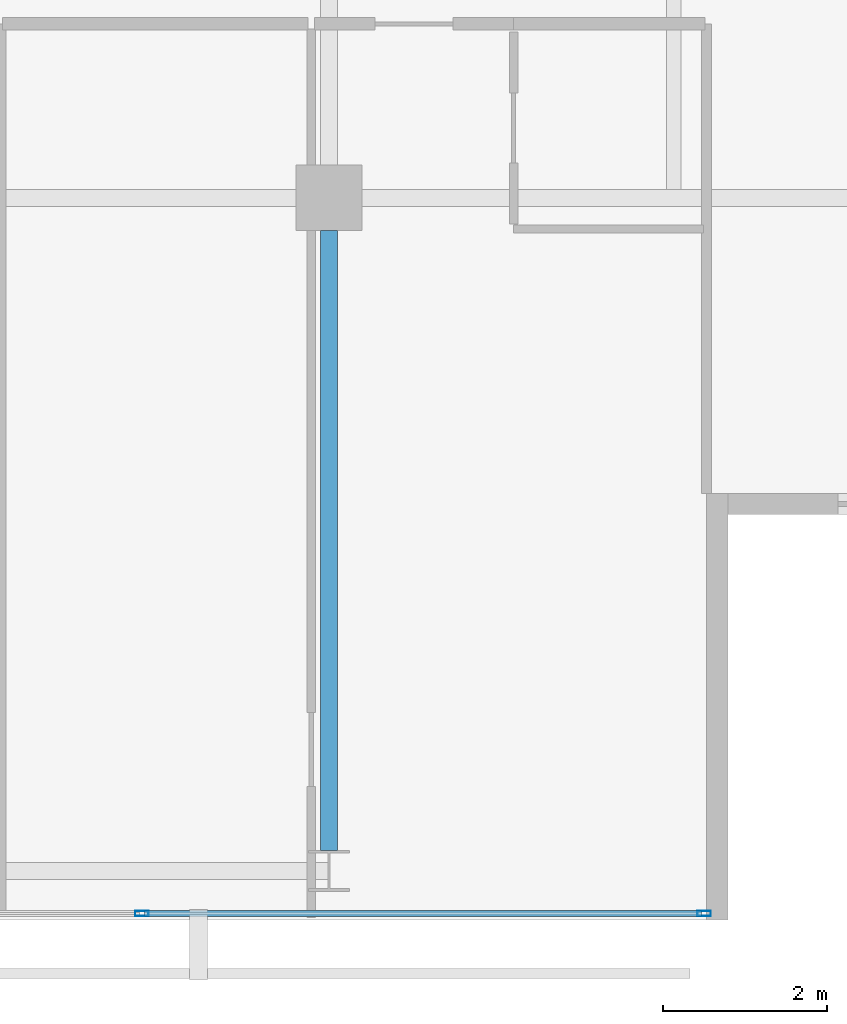
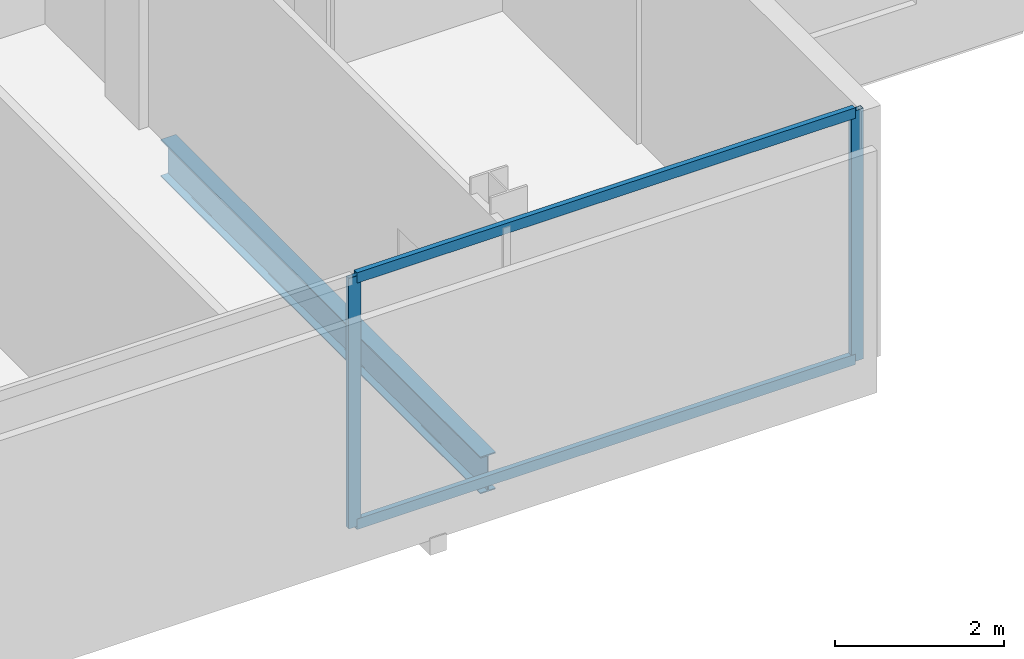
# One storey, part 10 of 26: 4 members, 1 beam, 1 element without a shape of its own.
"""IFC4 building model written with IfcOpenShell, lengths in metres."""

from ifc_helpers import new_model, si_unit, direction, frame, origin, origin_2d, place, context, subcontext, project, spatial, hollow_rectangle, i_section, extrude, material, layer, layer_set, material_profile, profile_set, type_object, element, aggregate, save


model = new_model("IFC4")

# Units and contexts
model_context = context("Model", 3, precision=1e-05, world=origin(), true_north=direction((0.0, 1.0)))
body_context = subcontext(model_context, "Body", "Model", "MODEL_VIEW")
ifc_project = project(units=[si_unit("LENGTHUNIT", "METRE"), si_unit("AREAUNIT", "SQUARE_METRE"), si_unit("VOLUMEUNIT", "CUBIC_METRE"), si_unit("PLANEANGLEUNIT", "RADIAN"), si_unit("MASSUNIT", "GRAM", prefix="KILO")], contexts=[model_context])

# Site, building, storey
site_placement = place(None, origin())
site = spatial("IfcSite", under=ifc_project, at=site_placement, CompositionType="ELEMENT")
building_placement = place(site_placement, origin())
building = spatial("IfcBuilding", under=site, at=building_placement, Name="Maruvema Waterfront Hotel and Observation Tower", CompositionType="ELEMENT")
storey_placement = place(building_placement, frame((0.0, 0.0, 258.64990234375)))
storey = spatial("IfcBuildingStorey", under=building, at=storey_placement, Name="L63", CompositionType="ELEMENT", Elevation=258.64990234375)

# Curtain wall, members
ifc_material_1 = material(Name="Anodised bronze aluminium and solar-control low-E IGU", Category="aluminium")
ifc_layer = layer(ifc_material_1, 0.159912109375, Name="Zone 3 Champagne Inner Thermal Curtain Wall System CW-04")
ifc_layer_set = layer_set([ifc_layer], Name="Anodised bronze aluminium and solar-control low-E IGU")
curtain_wall_type = type_object("IfcCurtainWallType", Name="Zone 3 Champagne Inner Thermal Curtain Wall System CW-04", PredefinedType="USERDEFINED", material=ifc_layer_set)
curtain_wall_placement = place(storey_placement, origin())
curtain_wall = element("IfcCurtainWall", 1, at=curtain_wall_placement, inside=storey, type_object=curtain_wall_type, Name="L63 Curtain Wall CW-L63-S", ObjectType="UNITISED CURTAIN WALL", PredefinedType="USERDEFINED")
ifc_material_2 = material(Name="Anodised architectural bronze aluminium", Category="aluminium")
ifc_material_profile_1 = material_profile(ifc_material_2, hollow_rectangle(XDim=0.070068359375, YDim=0.14990234375, WallThickness=0.00390625, at=origin_2d()), Name="ALU-T70x150")
ifc_profile_set_1 = profile_set([ifc_material_profile_1], Name="Anodised architectural bronze aluminium")
member_type_1 = type_object("IfcMemberType", Name="Curtain Wall Horizontal Transom ALU-T70x150", PredefinedType="USERDEFINED", material=ifc_profile_set_1)
member_1_placement = place(storey_placement, frame((48.14990234375, 9.280029296875, 0.030029296875), z_axis=(1.0, 0.0, 0.0), x_axis=(0.0, 1.0, 0.0)))
member_1 = element("IfcMember", 2, at=member_1_placement, type_object=member_type_1, Name="CW-04 transom 5.1", ObjectType="TRANSOM", PredefinedType="USERDEFINED", context=body_context, shape_type="SweptSolid", body=[
    extrude(hollow_rectangle(XDim=0.070068359375, YDim=0.14990234375, WallThickness=0.00390625, at=origin_2d()), origin(), (0.0, 0.0, 1.0), 6.7900390625),
])
member_2_placement = place(storey_placement, frame((48.14990234375, 9.280029296875, 3.580078125), z_axis=(1.0, 0.0, 0.0), x_axis=(0.0, 1.0, 0.0)))
member_2 = element("IfcMember", 3, at=member_2_placement, type_object=member_type_1, Name="CW-04 transom 5.2", ObjectType="TRANSOM", PredefinedType="USERDEFINED", context=body_context, shape_type="SweptSolid", body=[
    extrude(hollow_rectangle(XDim=0.070068359375, YDim=0.14990234375, WallThickness=0.00390625, at=origin_2d()), origin(), (0.0, 0.0, 1.0), 6.7900390625),
])
ifc_material_3 = material(Name="Anodised architectural bronze aluminium", Category="aluminium")
ifc_material_profile_2 = material_profile(ifc_material_3, hollow_rectangle(XDim=0.06494140625, YDim=0.1650390625, WallThickness=0.00390625, at=origin_2d()), Name="ALU-M65x165")
ifc_profile_set_2 = profile_set([ifc_material_profile_2], Name="Anodised architectural bronze aluminium")
member_type_2 = type_object("IfcMemberType", Name="Curtain Wall Primary Mullion ALU-M65x165", PredefinedType="MULLION", material=ifc_profile_set_2)
member_3_placement = place(storey_placement, frame((48.1201171875, 9.280029296875, 0.0), z_axis=(0.0, 0.0, 1.0), x_axis=(0.0, 1.0, 0.0)))
member_3 = element("IfcMember", 4, at=member_3_placement, type_object=member_type_2, Name="CW-04 mullion 5", PredefinedType="MULLION", context=body_context, shape_type="SweptSolid", body=[
    extrude(hollow_rectangle(XDim=0.06494140625, YDim=0.1650390625, WallThickness=0.00390625, at=origin_2d()), origin(), (0.0, 0.0, 1.0), 3.610107421875),
])
member_4_placement = place(storey_placement, frame((54.969970703125, 9.280029296875, 0.0), z_axis=(0.0, 0.0, 1.0), x_axis=(0.0, 1.0, 0.0)))
member_4 = element("IfcMember", 5, at=member_4_placement, type_object=member_type_2, Name="CW-04 mullion 6", PredefinedType="MULLION", context=body_context, shape_type="SweptSolid", body=[
    extrude(hollow_rectangle(XDim=0.06494140625, YDim=0.1650390625, WallThickness=0.00390625, at=origin_2d()), origin(), (0.0, 0.0, 1.0), 3.610107421875),
])
aggregate(curtain_wall, [member_3, member_4, member_1, member_2])

# Beam
ifc_material_4 = material(Name="Steel ASTM A572 Grade 50", Category="steel")
ifc_material_profile_3 = material_profile(ifc_material_4, i_section(OverallWidth=0.208984375, OverallDepth=0.532958984375, WebThickness=0.01025390625, FlangeThickness=0.015625, FilletRadius=0.014892578125, at=origin_2d()), Name="W530x92.0")
ifc_profile_set_3 = profile_set([ifc_material_profile_3], Name="Steel ASTM A572 Grade 50")
beam_type = type_object("IfcBeamType", Name="Primary Floor Girder W530x92.0", PredefinedType="BEAM", material=ifc_profile_set_3)
beam_placement = place(storey_placement, frame((50.39990234375, 10.050048828125, -0.50634765625), z_axis=(0.0, 1.0, 0.0), x_axis=(-1.0, 0.0, 0.0)))
element("IfcBeam", 6, at=beam_placement, inside=storey, type_object=beam_type, Name="L63 Floor Girder NS-12", PredefinedType="BEAM", context=body_context, shape_type="SweptSolid", body=[
    extrude(i_section(OverallWidth=0.208984375, OverallDepth=0.532958984375, WebThickness=0.01025390625, FlangeThickness=0.015625, FilletRadius=0.014892578125, at=origin_2d()), origin(), (0.0, 0.0, 1.0), 7.550048828125),
])

save(model, "model.ifc")
